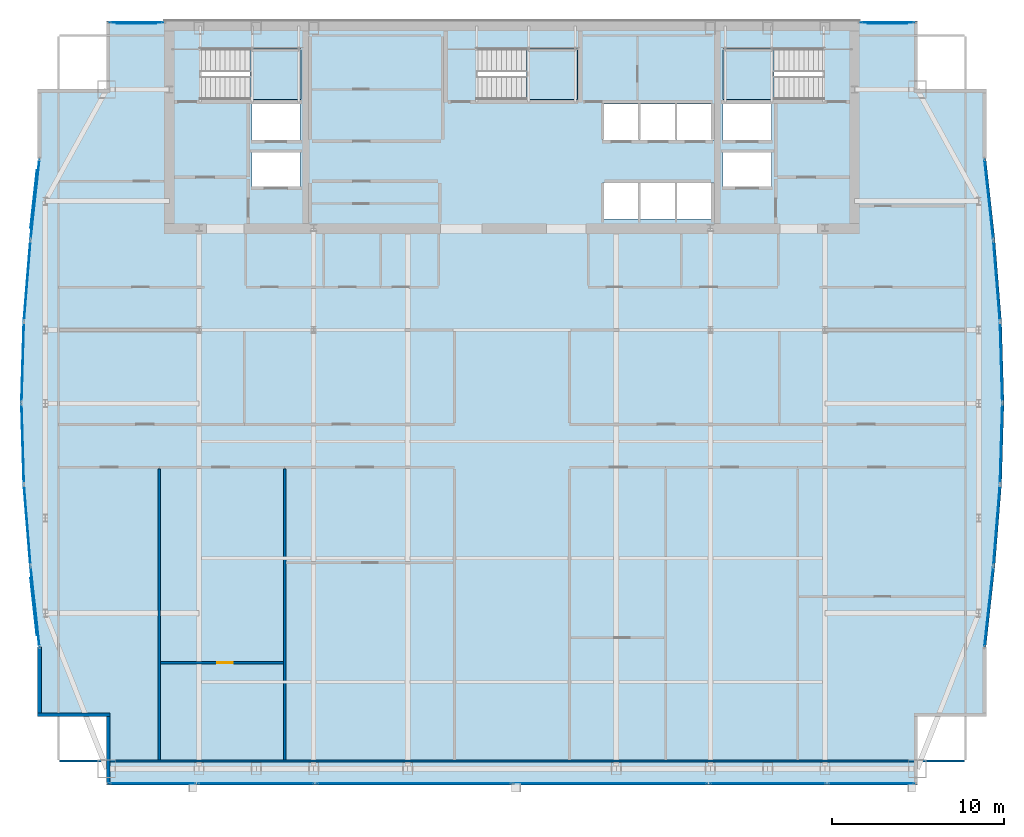
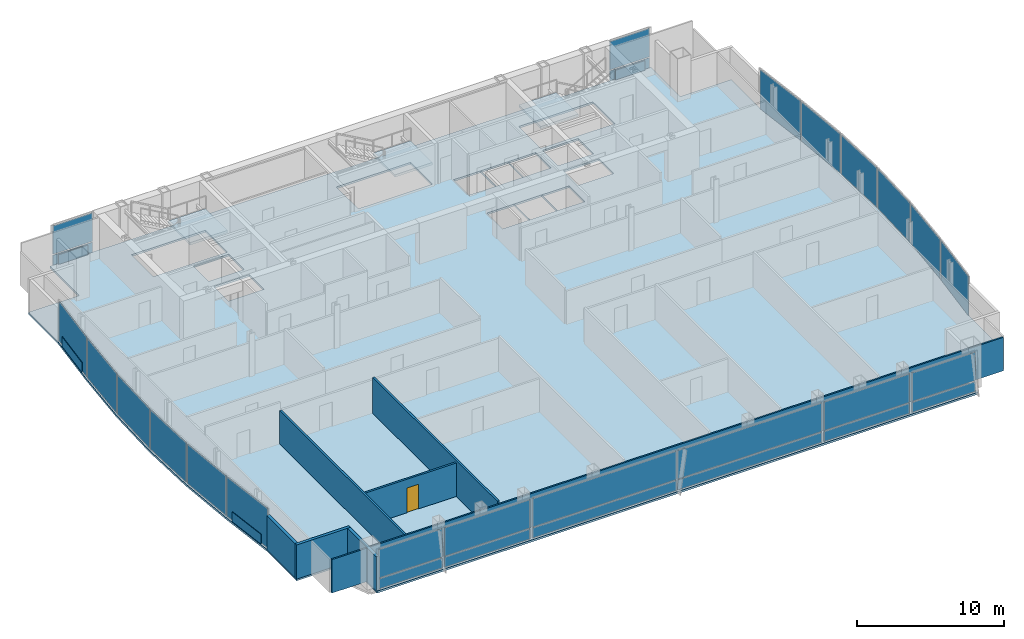
# One storey, part 23 of 29: 32 plates, 7 walls, 4 slabs, 1 door, 1 opening, 22 elements without a shape of their own.
"""IFC4 building model written with IfcOpenShell, lengths in metres."""

from ifc_helpers import new_model, si_unit, direction, frame, frame_2d, origin, origin_2d, place, context, subcontext, project, spatial, polyline, rectangle, outline, extrude, material, layer, layer_set, type_object, element, fill, aggregate, save


model = new_model("IFC4")

# Units and contexts
model_context = context("Model", 3, precision=1e-05, world=origin(), true_north=direction((0.0, 1.0)))
body_context = subcontext(model_context, "Body", "Model", "MODEL_VIEW")
ifc_project = project(units=[si_unit("LENGTHUNIT", "METRE"), si_unit("AREAUNIT", "SQUARE_METRE"), si_unit("VOLUMEUNIT", "CUBIC_METRE"), si_unit("PLANEANGLEUNIT", "RADIAN"), si_unit("MASSUNIT", "GRAM", prefix="KILO")], contexts=[model_context])

# Site, building, storey
site_placement = place(None, origin())
site = spatial("IfcSite", under=ifc_project, at=site_placement, CompositionType="ELEMENT")
building_placement = place(site_placement, origin())
building = spatial("IfcBuilding", under=site, at=building_placement, Name="Khoronbel Lancet Exchange", CompositionType="ELEMENT")
storey_placement = place(building_placement, frame((0.0, 0.0, 242.60009765625)))
storey = spatial("IfcBuildingStorey", under=building, at=storey_placement, Name="L62", CompositionType="ELEMENT", Elevation=242.60009765625)

# Curtain wall, plate
ifc_material_1 = material(Name="Low-E Solar Control Insulating Glass", Category="glass")
curtain_wall_type_1 = type_object("IfcCurtainWallType", Name="CW-4", PredefinedType="NOTDEFINED", material=ifc_material_1)
curtain_wall_1_placement = place(storey_placement, origin())
curtain_wall_1 = element("IfcCurtainWall", 1, at=curtain_wall_1_placement, inside=storey, type_object=curtain_wall_type_1, Name="Unitised curtain wall CW-L62-E04", PredefinedType="NOTDEFINED")
ifc_material_2 = material(Name="Bronze-Anodised Aluminium 6063-T6", Category="aluminium")
ifc_layer_1 = layer(ifc_material_2, 0.050048828125, Name="Bronze-Anodised Aluminium 6063-T6")
ifc_layer_set_1 = layer_set([ifc_layer_1], Name="Bronze-Anodised Aluminium 6063-T6")
plate_type_1 = type_object("IfcPlateType", Name="PLT-CSP1", PredefinedType="SHEET", material=ifc_layer_set_1)
plate_1_placement = place(storey_placement, frame((8.61767578125, 19.5751953125, 0.0498046875), z_axis=(0.0, 0.0, 1.0), x_axis=(-0.109857775256, 0.993947317123, 0.0)))
plate_1 = element("IfcPlate", 2, at=plate_1_placement, type_object=plate_type_1, Name="Insulated bronze spandrel cassette CW-L62-E04", PredefinedType="SHEET", context=body_context, shape_type="SweptSolid", body=[
    extrude(rectangle(XDim=3.347900390625, YDim=0.050048828125, at=origin_2d()), origin(), (0.0, 0.0, 1.0), 0.800048828125),
])

curtain_wall_2_placement = place(storey_placement, origin())
curtain_wall_2 = element("IfcCurtainWall", 3, at=curtain_wall_2_placement, inside=storey, type_object=curtain_wall_type_1, Name="Unitised curtain wall CW-L62-E05", PredefinedType="NOTDEFINED")
plate_2_placement = place(storey_placement, frame((8.22265625, 24.331787109375, 0.0849609375), z_axis=(0.0, 0.0, 1.0), x_axis=(-0.080639943095, 0.996743296731, 0.0)))
plate_2 = element("IfcPlate", 4, at=plate_2_placement, type_object=plate_type_1, Name="CW4 panel 1.1", PredefinedType="CURTAIN_PANEL", context=body_context, shape_type="SweptSolid", body=[
    extrude(rectangle(XDim=4.61181640625, YDim=0.0380859375, at=origin_2d()), origin(), (0.0, 0.0, 1.0), 3.27001953125),
])
aggregate(curtain_wall_2, [plate_2])

curtain_wall_3_placement = place(storey_placement, origin())
curtain_wall_3 = element("IfcCurtainWall", 5, at=curtain_wall_3_placement, inside=storey, type_object=curtain_wall_type_1, Name="Unitised curtain wall CW-L62-E06", PredefinedType="NOTDEFINED")
plate_3_placement = place(storey_placement, frame((7.960205078125, 29.077392578125, 0.0849609375), z_axis=(0.0, 0.0, 1.0), x_axis=(-0.029618191076, 0.999561285143, 0.0)))
plate_3 = element("IfcPlate", 6, at=plate_3_placement, type_object=plate_type_1, Name="CW4 panel 1.1", PredefinedType="CURTAIN_PANEL", context=body_context, shape_type="SweptSolid", body=[
    extrude(rectangle(XDim=4.59716796875, YDim=0.0380859375, at=origin_2d()), origin(), (0.0, 0.0, 1.0), 3.27001953125),
])
aggregate(curtain_wall_3, [plate_3])

curtain_wall_4_placement = place(storey_placement, origin())
curtain_wall_4 = element("IfcCurtainWall", 7, at=curtain_wall_4_placement, inside=storey, type_object=curtain_wall_type_1, Name="Unitised curtain wall CW-L62-E07", PredefinedType="NOTDEFINED")
plate_4_placement = place(storey_placement, frame((7.960205078125, 33.822509765625, 0.0849609375), z_axis=(0.0, 0.0, 1.0), x_axis=(0.029618191076, 0.999561285143, 0.0)))
plate_4 = element("IfcPlate", 8, at=plate_4_placement, type_object=plate_type_1, Name="CW4 panel 1.1", PredefinedType="CURTAIN_PANEL", context=body_context, shape_type="SweptSolid", body=[
    extrude(rectangle(XDim=4.59716796875, YDim=0.0380859375, at=origin_2d()), origin(), (0.0, 0.0, 1.0), 3.27001953125),
])
aggregate(curtain_wall_4, [plate_4])

curtain_wall_5_placement = place(storey_placement, origin())
curtain_wall_5 = element("IfcCurtainWall", 9, at=curtain_wall_5_placement, inside=storey, type_object=curtain_wall_type_1, Name="Unitised curtain wall CW-L62-E08", PredefinedType="NOTDEFINED")
plate_5_placement = place(storey_placement, frame((8.22265625, 38.568115234375, 0.0849609375), z_axis=(0.0, 0.0, 1.0), x_axis=(0.080639943095, 0.996743296731, 0.0)))
plate_5 = element("IfcPlate", 10, at=plate_5_placement, type_object=plate_type_1, Name="CW4 panel 1.1", PredefinedType="CURTAIN_PANEL", context=body_context, shape_type="SweptSolid", body=[
    extrude(rectangle(XDim=4.61181640625, YDim=0.0380859375, at=origin_2d()), origin(), (0.0, 0.0, 1.0), 3.27001953125),
])
aggregate(curtain_wall_5, [plate_5])

curtain_wall_6_placement = place(storey_placement, origin())
curtain_wall_6 = element("IfcCurtainWall", 11, at=curtain_wall_6_placement, inside=storey, type_object=curtain_wall_type_1, Name="Unitised curtain wall CW-L62-E09", PredefinedType="NOTDEFINED")
plate_6_placement = place(storey_placement, frame((8.61767578125, 43.32470703125, 0.0498046875), z_axis=(0.0, 0.0, 1.0), x_axis=(0.109857775256, 0.993947317123, 0.0)))
plate_6 = element("IfcPlate", 12, at=plate_6_placement, type_object=plate_type_1, Name="Insulated bronze spandrel cassette CW-L62-E09", PredefinedType="SHEET", context=body_context, shape_type="SweptSolid", body=[
    extrude(rectangle(XDim=3.347900390625, YDim=0.050048828125, at=origin_2d()), origin(), (0.0, 0.0, 1.0), 0.800048828125),
])

curtain_wall_type_2 = type_object("IfcCurtainWallType", Name="CW-3", PredefinedType="NOTDEFINED", material=ifc_material_1)
curtain_wall_7_placement = place(storey_placement, origin())
curtain_wall_7 = element("IfcCurtainWall", 13, at=curtain_wall_7_placement, inside=storey, type_object=curtain_wall_type_2, Name="Unitised curtain wall CW-L62-NWFLK", PredefinedType="NOTDEFINED")
plate_7_placement = place(storey_placement, frame((14.580078125, 53.550048828125, 0.0498046875), z_axis=(0.0, 0.0, 1.0), x_axis=(-1.0, 0.0, 0.0)))
plate_7 = element("IfcPlate", 14, at=plate_7_placement, type_object=plate_type_1, Name="Insulated bronze spandrel cassette CW-L62-NWFLK", PredefinedType="SHEET", context=body_context, shape_type="SweptSolid", body=[
    extrude(rectangle(XDim=2.2958984375, YDim=0.050048828125, at=origin_2d()), origin(), (0.0, 0.0, 1.0), 0.800048828125),
])

curtain_wall_8_placement = place(storey_placement, origin())
curtain_wall_8 = element("IfcCurtainWall", 15, at=curtain_wall_8_placement, inside=storey, type_object=curtain_wall_type_2, Name="Unitised curtain wall CW-L62-NEFLK", PredefinedType="NOTDEFINED")
plate_8_placement = place(storey_placement, frame((58.320068359375, 53.550048828125, 0.0498046875), z_axis=(0.0, 0.0, 1.0), x_axis=(-1.0, 0.0, 0.0)))
plate_8 = element("IfcPlate", 16, at=plate_8_placement, type_object=plate_type_1, Name="Insulated bronze spandrel cassette CW-L62-NEFLK", PredefinedType="SHEET", context=body_context, shape_type="SweptSolid", body=[
    extrude(rectangle(XDim=2.2958984375, YDim=0.050048828125, at=origin_2d()), origin(), (0.0, 0.0, 1.0), 0.800048828125),
])

curtain_wall_9_placement = place(storey_placement, origin())
curtain_wall_9 = element("IfcCurtainWall", 17, at=curtain_wall_9_placement, inside=storey, type_object=curtain_wall_type_1, Name="Unitised curtain wall CW-L62-E18", PredefinedType="NOTDEFINED")
plate_9_placement = place(storey_placement, frame((64.677490234375, 38.568115234375, 0.0849609375), z_axis=(0.0, 0.0, 1.0), x_axis=(0.080639943095, -0.996743296731, 0.0)))
plate_9 = element("IfcPlate", 18, at=plate_9_placement, type_object=plate_type_1, Name="CW4 panel 1.1", PredefinedType="CURTAIN_PANEL", context=body_context, shape_type="SweptSolid", body=[
    extrude(rectangle(XDim=4.61181640625, YDim=0.0380859375, at=origin_2d()), origin(), (0.0, 0.0, 1.0), 3.27001953125),
])
aggregate(curtain_wall_9, [plate_9])

curtain_wall_10_placement = place(storey_placement, origin())
curtain_wall_10 = element("IfcCurtainWall", 19, at=curtain_wall_10_placement, inside=storey, type_object=curtain_wall_type_1, Name="Unitised curtain wall CW-L62-E19", PredefinedType="NOTDEFINED")
plate_10_placement = place(storey_placement, frame((64.939697265625, 33.822509765625, 0.0849609375), z_axis=(0.0, 0.0, 1.0), x_axis=(0.029618191076, -0.999561285143, 0.0)))
plate_10 = element("IfcPlate", 20, at=plate_10_placement, type_object=plate_type_1, Name="CW4 panel 1.1", PredefinedType="CURTAIN_PANEL", context=body_context, shape_type="SweptSolid", body=[
    extrude(rectangle(XDim=4.59716796875, YDim=0.0380859375, at=origin_2d()), origin(), (0.0, 0.0, 1.0), 3.27001953125),
])
aggregate(curtain_wall_10, [plate_10])

curtain_wall_11_placement = place(storey_placement, origin())
curtain_wall_11 = element("IfcCurtainWall", 21, at=curtain_wall_11_placement, inside=storey, type_object=curtain_wall_type_1, Name="Unitised curtain wall CW-L62-E20", PredefinedType="NOTDEFINED")
plate_11_placement = place(storey_placement, frame((64.939697265625, 29.077392578125, 0.0849609375), z_axis=(0.0, 0.0, 1.0), x_axis=(-0.029618191076, -0.999561285143, 0.0)))
plate_11 = element("IfcPlate", 22, at=plate_11_placement, type_object=plate_type_1, Name="CW4 panel 1.1", PredefinedType="CURTAIN_PANEL", context=body_context, shape_type="SweptSolid", body=[
    extrude(rectangle(XDim=4.59716796875, YDim=0.0380859375, at=origin_2d()), origin(), (0.0, 0.0, 1.0), 3.27001953125),
])
aggregate(curtain_wall_11, [plate_11])

curtain_wall_12_placement = place(storey_placement, origin())
curtain_wall_12 = element("IfcCurtainWall", 23, at=curtain_wall_12_placement, inside=storey, type_object=curtain_wall_type_1, Name="Unitised curtain wall CW-L62-E21", PredefinedType="NOTDEFINED")
plate_12_placement = place(storey_placement, frame((64.677490234375, 24.331787109375, 0.0849609375), z_axis=(0.0, 0.0, 1.0), x_axis=(-0.080639943095, -0.996743296731, 0.0)))
plate_12 = element("IfcPlate", 24, at=plate_12_placement, type_object=plate_type_1, Name="CW4 panel 1.1", PredefinedType="CURTAIN_PANEL", context=body_context, shape_type="SweptSolid", body=[
    extrude(rectangle(XDim=4.61181640625, YDim=0.0380859375, at=origin_2d()), origin(), (0.0, 0.0, 1.0), 3.27001953125),
])
aggregate(curtain_wall_12, [plate_12])

# Curtain wall, plates
curtain_wall_13_placement = place(storey_placement, origin())
curtain_wall_13 = element("IfcCurtainWall", 25, at=curtain_wall_13_placement, inside=storey, type_object=curtain_wall_type_2, Name="Unitised curtain wall CW-L62-SWB", PredefinedType="NOTDEFINED")
plate_13_placement = place(storey_placement, frame((21.550048828125, 9.2900390625, 0.0849609375), z_axis=(0.0, 0.0, 1.0), x_axis=(1.0, 0.0, 0.0)))
plate_13 = element("IfcPlate", 26, at=plate_13_placement, type_object=plate_type_1, Name="CW3 panel 1.1", PredefinedType="CURTAIN_PANEL", context=body_context, shape_type="SweptSolid", body=[
    extrude(rectangle(XDim=6.72998046875, YDim=0.0380859375, at=origin_2d()), origin(), (0.0, 0.0, 1.0), 0.822509765625),
])
plate_14_placement = place(storey_placement, frame((21.550048828125, 9.2900390625, 0.9921875), z_axis=(0.0, 0.0, 1.0), x_axis=(1.0, 0.0, 0.0)))
plate_14 = element("IfcPlate", 27, at=plate_14_placement, type_object=plate_type_1, Name="CW3 panel 1.2", PredefinedType="CURTAIN_PANEL", context=body_context, shape_type="SweptSolid", body=[
    extrude(rectangle(XDim=6.72998046875, YDim=0.0380859375, at=origin_2d()), origin(), (0.0, 0.0, 1.0), 2.362548828125),
])
aggregate(curtain_wall_13, [plate_13, plate_14])

curtain_wall_14_placement = place(storey_placement, origin())
curtain_wall_14 = element("IfcCurtainWall", 28, at=curtain_wall_14_placement, inside=storey, type_object=curtain_wall_type_2, Name="Unitised curtain wall CW-L62-SEB", PredefinedType="NOTDEFINED")
plate_15_placement = place(storey_placement, frame((51.35009765625, 9.2900390625, 0.0849609375), z_axis=(0.0, 0.0, 1.0), x_axis=(1.0, 0.0, 0.0)))
plate_15 = element("IfcPlate", 29, at=plate_15_placement, type_object=plate_type_1, Name="CW3 panel 1.1", PredefinedType="CURTAIN_PANEL", context=body_context, shape_type="SweptSolid", body=[
    extrude(rectangle(XDim=6.72998046875, YDim=0.0380859375, at=origin_2d()), origin(), (0.0, 0.0, 1.0), 0.822509765625),
])
plate_16_placement = place(storey_placement, frame((51.35009765625, 9.2900390625, 0.9921875), z_axis=(0.0, 0.0, 1.0), x_axis=(1.0, 0.0, 0.0)))
plate_16 = element("IfcPlate", 30, at=plate_16_placement, type_object=plate_type_1, Name="CW3 panel 1.2", PredefinedType="CURTAIN_PANEL", context=body_context, shape_type="SweptSolid", body=[
    extrude(rectangle(XDim=6.72998046875, YDim=0.0380859375, at=origin_2d()), origin(), (0.0, 0.0, 1.0), 2.362548828125),
])
aggregate(curtain_wall_14, [plate_15, plate_16])

# Plate
ifc_layer_2 = layer(ifc_material_1, 0.035888671875, Name="Low-E Solar Control Insulating Glass")
ifc_layer_set_2 = layer_set([ifc_layer_2], Name="Low-E Solar Control Insulating Glass")
plate_type_2 = type_object("IfcPlateType", Name="PLT-CWP1", PredefinedType="CURTAIN_PANEL", material=ifc_layer_set_2)
plate_17_placement = place(storey_placement, frame((14.580078125, 53.610107421875, 0.0849609375), z_axis=(0.0, 0.0, 1.0), x_axis=(-1.0, 0.0, 0.0)))
plate_17 = element("IfcPlate", 31, at=plate_17_placement, type_object=plate_type_2, Name="CW3 panel 1.1", PredefinedType="CURTAIN_PANEL", context=body_context, shape_type="SweptSolid", body=[
    extrude(rectangle(XDim=3.110107421875, YDim=0.0380859375, at=origin_2d()), origin(), (0.0, 0.0, 1.0), 0.822509765625),
])

plate_18_placement = place(storey_placement, frame((14.580078125, 53.610107421875, 0.9921875), z_axis=(0.0, 0.0, 1.0), x_axis=(-1.0, 0.0, 0.0)))
plate_18 = element("IfcPlate", 32, at=plate_18_placement, type_object=plate_type_2, Name="CW3 panel 1.2", PredefinedType="CURTAIN_PANEL", context=body_context, shape_type="SweptSolid", body=[
    extrude(rectangle(XDim=3.110107421875, YDim=0.0380859375, at=origin_2d()), origin(), (0.0, 0.0, 1.0), 2.362548828125),
])

aggregate(curtain_wall_7, [plate_17, plate_18, plate_7])

plate_19_placement = place(storey_placement, frame((58.320068359375, 53.610107421875, 0.0849609375), z_axis=(0.0, 0.0, 1.0), x_axis=(-1.0, 0.0, 0.0)))
plate_19 = element("IfcPlate", 33, at=plate_19_placement, type_object=plate_type_2, Name="CW3 panel 1.1", PredefinedType="CURTAIN_PANEL", context=body_context, shape_type="SweptSolid", body=[
    extrude(rectangle(XDim=3.110107421875, YDim=0.0380859375, at=origin_2d()), origin(), (0.0, 0.0, 1.0), 0.822509765625),
])

plate_20_placement = place(storey_placement, frame((58.320068359375, 53.610107421875, 0.9921875), z_axis=(0.0, 0.0, 1.0), x_axis=(-1.0, 0.0, 0.0)))
plate_20 = element("IfcPlate", 34, at=plate_20_placement, type_object=plate_type_2, Name="CW3 panel 1.2", PredefinedType="CURTAIN_PANEL", context=body_context, shape_type="SweptSolid", body=[
    extrude(rectangle(XDim=3.110107421875, YDim=0.0380859375, at=origin_2d()), origin(), (0.0, 0.0, 1.0), 2.362548828125),
])

aggregate(curtain_wall_8, [plate_19, plate_20, plate_8])

# Curtain wall, plates
curtain_wall_15_placement = place(storey_placement, origin())
curtain_wall_15 = element("IfcCurtainWall", 35, at=curtain_wall_15_placement, inside=storey, type_object=curtain_wall_type_2, Name="Unitised curtain wall CW-L62-SWV", PredefinedType="NOTDEFINED")
plate_21_placement = place(storey_placement, frame((15.52001953125, 9.2900390625, 0.0849609375), z_axis=(0.0, 0.0, 1.0), x_axis=(1.0, 0.0, 0.0)))
plate_21 = element("IfcPlate", 36, at=plate_21_placement, type_object=plate_type_2, Name="CW3 panel 1.1", PredefinedType="CURTAIN_PANEL", context=body_context, shape_type="SweptSolid", body=[
    extrude(rectangle(XDim=4.989990234375, YDim=0.0380859375, at=origin_2d()), origin(), (0.0, 0.0, 1.0), 0.822509765625),
])
plate_22_placement = place(storey_placement, frame((15.52001953125, 9.2900390625, 0.9921875), z_axis=(0.0, 0.0, 1.0), x_axis=(1.0, 0.0, 0.0)))
plate_22 = element("IfcPlate", 37, at=plate_22_placement, type_object=plate_type_2, Name="CW3 panel 1.2", PredefinedType="CURTAIN_PANEL", context=body_context, shape_type="SweptSolid", body=[
    extrude(rectangle(XDim=4.989990234375, YDim=0.0380859375, at=origin_2d()), origin(), (0.0, 0.0, 1.0), 2.362548828125),
])
aggregate(curtain_wall_15, [plate_21, plate_22])

curtain_wall_16_placement = place(storey_placement, origin())
curtain_wall_16 = element("IfcCurtainWall", 38, at=curtain_wall_16_placement, inside=storey, type_object=curtain_wall_type_2, Name="Unitised curtain wall CW-L62-SCV", PredefinedType="NOTDEFINED")
plate_23_placement = place(storey_placement, frame((30.746337890625, 9.2900390625, 0.0849609375), z_axis=(0.0, 0.0, 1.0), x_axis=(1.0, 0.0, 0.0)))
plate_23 = element("IfcPlate", 39, at=plate_23_placement, type_object=plate_type_2, Name="CW3 panel 1.1", PredefinedType="CURTAIN_PANEL", context=body_context, shape_type="SweptSolid", body=[
    extrude(rectangle(XDim=11.322509765625, YDim=0.0380859375, at=origin_2d()), origin(), (0.0, 0.0, 1.0), 0.822509765625),
])
plate_24_placement = place(storey_placement, frame((30.746337890625, 9.2900390625, 0.9921875), z_axis=(0.0, 0.0, 1.0), x_axis=(1.0, 0.0, 0.0)))
plate_24 = element("IfcPlate", 40, at=plate_24_placement, type_object=plate_type_2, Name="CW3 panel 1.2", PredefinedType="CURTAIN_PANEL", context=body_context, shape_type="SweptSolid", body=[
    extrude(rectangle(XDim=11.322509765625, YDim=0.0380859375, at=origin_2d()), origin(), (0.0, 0.0, 1.0), 2.362548828125),
])
plate_25_placement = place(storey_placement, frame((42.15380859375, 9.2900390625, 0.0849609375), z_axis=(0.0, 0.0, 1.0), x_axis=(1.0, 0.0, 0.0)))
plate_25 = element("IfcPlate", 41, at=plate_25_placement, type_object=plate_type_2, Name="CW3 panel 2.1", PredefinedType="CURTAIN_PANEL", context=body_context, shape_type="SweptSolid", body=[
    extrude(rectangle(XDim=11.322509765625, YDim=0.0380859375, at=origin_2d()), origin(), (0.0, 0.0, 1.0), 0.822509765625),
])
plate_26_placement = place(storey_placement, frame((42.15380859375, 9.2900390625, 0.9921875), z_axis=(0.0, 0.0, 1.0), x_axis=(1.0, 0.0, 0.0)))
plate_26 = element("IfcPlate", 42, at=plate_26_placement, type_object=plate_type_2, Name="CW3 panel 2.2", PredefinedType="CURTAIN_PANEL", context=body_context, shape_type="SweptSolid", body=[
    extrude(rectangle(XDim=11.322509765625, YDim=0.0380859375, at=origin_2d()), origin(), (0.0, 0.0, 1.0), 2.362548828125),
])
aggregate(curtain_wall_16, [plate_23, plate_24, plate_25, plate_26])

curtain_wall_17_placement = place(storey_placement, origin())
curtain_wall_17 = element("IfcCurtainWall", 43, at=curtain_wall_17_placement, inside=storey, type_object=curtain_wall_type_2, Name="Unitised curtain wall CW-L62-SEV", PredefinedType="NOTDEFINED")
plate_27_placement = place(storey_placement, frame((57.3798828125, 9.2900390625, 0.0849609375), z_axis=(0.0, 0.0, 1.0), x_axis=(1.0, 0.0, 0.0)))
plate_27 = element("IfcPlate", 44, at=plate_27_placement, type_object=plate_type_2, Name="CW3 panel 1.1", PredefinedType="CURTAIN_PANEL", context=body_context, shape_type="SweptSolid", body=[
    extrude(rectangle(XDim=4.989990234375, YDim=0.0380859375, at=origin_2d()), origin(), (0.0, 0.0, 1.0), 0.822509765625),
])
plate_28_placement = place(storey_placement, frame((57.3798828125, 9.2900390625, 0.9921875), z_axis=(0.0, 0.0, 1.0), x_axis=(1.0, 0.0, 0.0)))
plate_28 = element("IfcPlate", 45, at=plate_28_placement, type_object=plate_type_2, Name="CW3 panel 1.2", PredefinedType="CURTAIN_PANEL", context=body_context, shape_type="SweptSolid", body=[
    extrude(rectangle(XDim=4.989990234375, YDim=0.0380859375, at=origin_2d()), origin(), (0.0, 0.0, 1.0), 2.362548828125),
])
aggregate(curtain_wall_17, [plate_27, plate_28])

# Plate
ifc_material_3 = material(Name="Ceramic-Fritted Laminated Insulating Glass", Category="glass")
ifc_layer_3 = layer(ifc_material_3, 0.0419921875, Name="Ceramic-Fritted Laminated Insulating Glass")
ifc_layer_set_3 = layer_set([ifc_layer_3], Name="Ceramic-Fritted Laminated Insulating Glass")
plate_type_3 = type_object("IfcPlateType", Name="PLT-CWP2", PredefinedType="CURTAIN_PANEL", material=ifc_layer_set_3)
plate_29_placement = place(storey_placement, frame((8.67724609375, 19.581787109375, 0.0849609375), z_axis=(0.0, 0.0, 1.0), x_axis=(-0.109857775256, 0.993947317123, 0.0)))
plate_29 = element("IfcPlate", 46, at=plate_29_placement, type_object=plate_type_3, Name="CW4 panel 1.1", PredefinedType="CURTAIN_PANEL", context=body_context, shape_type="SweptSolid", body=[
    extrude(rectangle(XDim=4.632568359375, YDim=0.0380859375, at=origin_2d()), origin(), (0.0, 0.0, 1.0), 3.27001953125),
])

aggregate(curtain_wall_1, [plate_29, plate_1])

plate_30_placement = place(storey_placement, frame((8.67724609375, 43.318115234375, 0.0849609375), z_axis=(0.0, 0.0, 1.0), x_axis=(0.109857775256, 0.993947317123, 0.0)))
plate_30 = element("IfcPlate", 47, at=plate_30_placement, type_object=plate_type_3, Name="CW4 panel 1.1", PredefinedType="CURTAIN_PANEL", context=body_context, shape_type="SweptSolid", body=[
    extrude(rectangle(XDim=4.632568359375, YDim=0.0380859375, at=origin_2d()), origin(), (0.0, 0.0, 1.0), 3.27001953125),
])

aggregate(curtain_wall_6, [plate_30, plate_6])

# Curtain wall, plate
curtain_wall_18_placement = place(storey_placement, origin())
curtain_wall_18 = element("IfcCurtainWall", 48, at=curtain_wall_18_placement, inside=storey, type_object=curtain_wall_type_1, Name="Unitised curtain wall CW-L62-E17", PredefinedType="NOTDEFINED")
plate_31_placement = place(storey_placement, frame((64.22265625, 43.318115234375, 0.0849609375), z_axis=(0.0, 0.0, 1.0), x_axis=(0.109857775256, -0.993947317123, 0.0)))
plate_31 = element("IfcPlate", 49, at=plate_31_placement, type_object=plate_type_3, Name="CW4 panel 1.1", PredefinedType="CURTAIN_PANEL", context=body_context, shape_type="SweptSolid", body=[
    extrude(rectangle(XDim=4.632568359375, YDim=0.0380859375, at=origin_2d()), origin(), (0.0, 0.0, 1.0), 3.27001953125),
])
aggregate(curtain_wall_18, [plate_31])

curtain_wall_19_placement = place(storey_placement, origin())
curtain_wall_19 = element("IfcCurtainWall", 50, at=curtain_wall_19_placement, inside=storey, type_object=curtain_wall_type_1, Name="Unitised curtain wall CW-L62-E22", PredefinedType="NOTDEFINED")
plate_32_placement = place(storey_placement, frame((64.22265625, 19.581787109375, 0.0849609375), z_axis=(0.0, 0.0, 1.0), x_axis=(-0.109857775256, -0.993947317123, 0.0)))
plate_32 = element("IfcPlate", 51, at=plate_32_placement, type_object=plate_type_3, Name="CW4 panel 1.1", PredefinedType="CURTAIN_PANEL", context=body_context, shape_type="SweptSolid", body=[
    extrude(rectangle(XDim=4.632568359375, YDim=0.0380859375, at=origin_2d()), origin(), (0.0, 0.0, 1.0), 3.27001953125),
])
aggregate(curtain_wall_19, [plate_32])

# Slab
ifc_material_4 = material(Name="Concrete C40/50", Category="concrete")
ifc_layer_4 = layer(ifc_material_4, 0.159912109375, Name="Concrete C40/50")
ifc_layer_set_4 = layer_set([ifc_layer_4], Name="Concrete C40/50")
slab_type_1 = type_object("IfcSlabType", Name="SL-FL160", PredefinedType="FLOOR", material=ifc_layer_set_4)
slab_1_placement = place(storey_placement, frame((0.0, 0.0, -0.16015625)))
element("IfcSlab", 52, at=slab_1_placement, inside=storey, type_object=slab_type_1, Name="Level L62 composite structural floor slab", PredefinedType="FLOOR", context=body_context, shape_type="SweptSolid", body=[
    extrude(outline(polyline([(12.85009765625, 9.199951171875), (60.050048828125, 9.199951171875), (60.050048828125, 13.199951171875), (64.050048828125, 13.199951171875), (64.050048828125, 17.199951171875), (64.574951171875, 21.949951171875), (64.959228515625, 26.699951171875), (65.10009765625, 31.449951171875), (64.959228515625, 36.199951171875), (64.574951171875, 40.949951171875), (64.050048828125, 45.699951171875), (64.050048828125, 49.699951171875), (60.050048828125, 49.699951171875), (60.050048828125, 53.699951171875), (12.85009765625, 53.699951171875), (12.85009765625, 49.699951171875), (8.85009765625, 49.699951171875), (8.85009765625, 45.699951171875), (8.324951171875, 40.949951171875), (7.940673828125, 36.199951171875), (7.800048828125, 31.449951171875), (7.940673828125, 26.699951171875), (8.324951171875, 21.949951171875), (8.85009765625, 17.199951171875), (8.85009765625, 13.199951171875), (12.85009765625, 13.199951171875), (12.85009765625, 9.199951171875)]), holes=[polyline([(18.324951171875, 49.1201171875), (24.14990234375, 49.1201171875), (24.14990234375, 52.10009765625), (18.324951171875, 52.10009765625), (18.324951171875, 49.1201171875)]), polyline([(48.75, 49.1201171875), (54.574951171875, 49.1201171875), (54.574951171875, 52.10009765625), (48.75, 52.10009765625), (48.75, 49.1201171875)]), polyline([(34.425048828125, 49.1201171875), (40.25, 49.1201171875), (40.25, 52.10009765625), (34.425048828125, 52.10009765625), (34.425048828125, 49.1201171875)]), polyline([(41.739990234375, 46.75), (43.8798828125, 46.75), (43.8798828125, 48.85009765625), (41.739990234375, 48.85009765625), (41.739990234375, 46.75)]), polyline([(43.89990234375, 46.75), (46.0400390625, 46.75), (46.0400390625, 48.85009765625), (43.89990234375, 48.85009765625), (43.89990234375, 46.75)]), polyline([(46.06005859375, 46.75), (48.199951171875, 46.75), (48.199951171875, 48.85009765625), (46.06005859375, 48.85009765625), (46.06005859375, 46.75)]), polyline([(41.739990234375, 42.14990234375), (43.8798828125, 42.14990234375), (43.8798828125, 44.300048828125), (41.739990234375, 44.300048828125), (41.739990234375, 42.14990234375)]), polyline([(43.89990234375, 42.14990234375), (46.0400390625, 42.14990234375), (46.0400390625, 44.300048828125), (43.89990234375, 44.300048828125), (43.89990234375, 42.14990234375)]), polyline([(46.06005859375, 42.14990234375), (48.199951171875, 42.14990234375), (48.199951171875, 44.300048828125), (46.06005859375, 44.300048828125), (46.06005859375, 42.14990234375)]), polyline([(21.300048828125, 46.75), (24.10009765625, 46.75), (24.10009765625, 48.85009765625), (21.300048828125, 48.85009765625), (21.300048828125, 46.75)]), polyline([(48.75, 46.75), (51.550048828125, 46.75), (51.550048828125, 48.85009765625), (48.75, 48.85009765625), (48.75, 46.75)]), polyline([(21.300048828125, 44.050048828125), (24.10009765625, 44.050048828125), (24.10009765625, 46.050048828125), (21.300048828125, 46.050048828125), (21.300048828125, 44.050048828125)]), polyline([(48.75, 44.050048828125), (51.550048828125, 44.050048828125), (51.550048828125, 46.050048828125), (48.75, 46.050048828125), (48.75, 44.050048828125)])]), origin(), (0.0, 0.0, 1.0), 0.16015625),
])

# Stair, slab
stair_type = type_object("IfcStairType", Name="STR-CORE150", PredefinedType="HALF_TURN_STAIR", material=ifc_material_4)
stair_1_placement = place(storey_placement, origin())
stair_1 = element("IfcStair", 53, at=stair_1_placement, inside=storey, type_object=stair_type, Name="L62 Protected Exit Stair ST1", PredefinedType="HALF_TURN_STAIR")
ifc_layer_5 = layer(ifc_material_4, 0.199951171875, Name="Concrete C40/50")
ifc_layer_set_5 = layer_set([ifc_layer_5], Name="Concrete C40/50")
slab_type_2 = type_object("IfcSlabType", Name="SL-LND180", PredefinedType="LANDING", material=ifc_layer_set_5)
slab_2_placement = place(storey_placement, frame((0.0, 0.0, 1.599853515625)))
slab_2 = element("IfcSlab", 54, at=slab_2_placement, type_object=slab_type_2, Name="ST1 landing 1", PredefinedType="LANDING", context=body_context, shape_type="SweptSolid", body=[
    extrude(outline(polyline([(21.199951171875, 49.1201171875), (24.14990234375, 49.1201171875), (24.14990234375, 52.10009765625), (21.199951171875, 52.10009765625), (21.199951171875, 49.1201171875)])), origin(), (0.0, 0.0, 1.0), 0.199951171875),
])
aggregate(stair_1, [slab_2])

stair_2_placement = place(storey_placement, origin())
stair_2 = element("IfcStair", 55, at=stair_2_placement, inside=storey, type_object=stair_type, Name="L62 Protected Exit Stair ST2", PredefinedType="HALF_TURN_STAIR")
slab_3_placement = place(storey_placement, frame((0.0, 0.0, 1.599853515625)))
slab_3 = element("IfcSlab", 56, at=slab_3_placement, type_object=slab_type_2, Name="ST2 landing 1", PredefinedType="LANDING", context=body_context, shape_type="SweptSolid", body=[
    extrude(outline(polyline([(51.699951171875, 52.10009765625), (48.75, 52.10009765625), (48.75, 49.1201171875), (51.699951171875, 49.1201171875), (51.699951171875, 52.10009765625)])), origin(), (0.0, 0.0, 1.0), 0.199951171875),
])
aggregate(stair_2, [slab_3])

stair_3_placement = place(storey_placement, origin())
stair_3 = element("IfcStair", 57, at=stair_3_placement, inside=storey, type_object=stair_type, Name="L62 Protected Exit Stair ST3", PredefinedType="HALF_TURN_STAIR")
slab_4_placement = place(storey_placement, frame((0.0, 0.0, 1.599853515625)))
slab_4 = element("IfcSlab", 58, at=slab_4_placement, type_object=slab_type_2, Name="ST3 landing 1", PredefinedType="LANDING", context=body_context, shape_type="SweptSolid", body=[
    extrude(outline(polyline([(37.300048828125, 49.1201171875), (40.25, 49.1201171875), (40.25, 52.10009765625), (37.300048828125, 52.10009765625), (37.300048828125, 49.1201171875)])), origin(), (0.0, 0.0, 1.0), 0.199951171875),
])
aggregate(stair_3, [slab_4])

# Walls
ifc_material_5 = material(Name="Precast concrete C40/50", Category="concrete")
ifc_layer_6 = layer(ifc_material_5, 0.25, Name="Precast concrete C40/50")
ifc_layer_set_6 = layer_set([ifc_layer_6], Name="Precast concrete C40/50")
wall_type_1 = type_object("IfcWallType", Name="WL-EXT250", PredefinedType="SOLIDWALL", material=ifc_layer_set_6)
wall_1_placement = place(storey_placement, frame((12.93994140625, 9.27001953125, 0.0), z_axis=(0.0, 0.0, 1.0), x_axis=(0.0, 1.0, 0.0)))
element("IfcWall", 59, at=wall_1_placement, inside=storey, type_object=wall_type_1, Name="Level L62 notched-corner limestone pier 01", PredefinedType="SOLIDWALL", context=body_context, shape_type="SweptSolid", body=[
    extrude(rectangle(XDim=3.909912109375, YDim=0.219970703125, at=frame_2d((1.955078125, 0.0))), origin(), (0.0, 0.0, 1.0), 2.829833984375),
])
wall_2_placement = place(storey_placement, frame((13.050048828125, 13.2900390625, 0.0), z_axis=(0.0, 0.0, 1.0), x_axis=(-1.0, 0.0, 0.0)))
element("IfcWall", 60, at=wall_2_placement, inside=storey, type_object=wall_type_1, Name="Level L62 notched-corner limestone pier 02", PredefinedType="SOLIDWALL", context=body_context, shape_type="SweptSolid", body=[
    extrude(rectangle(XDim=4.219970703125, YDim=0.219970703125, at=frame_2d((2.10986328125, 0.0))), origin(), (0.0, 0.0, 1.0), 2.829833984375),
])
wall_3_placement = place(storey_placement, frame((8.93994140625, 13.39990234375, 0.0), z_axis=(0.0, 0.0, 1.0), x_axis=(0.0, 1.0, 0.0)))
element("IfcWall", 61, at=wall_3_placement, inside=storey, type_object=wall_type_1, Name="Level L62 notched-corner limestone pier 03", PredefinedType="SOLIDWALL", context=body_context, shape_type="SweptSolid", body=[
    extrude(rectangle(XDim=3.8251953125, YDim=0.219970703125, at=frame_2d((1.91259765625, 0.0))), origin(), (0.0, 0.0, 1.0), 2.829833984375),
])

# Wall, opening, door
ifc_material_6 = material(Name="Acoustic Metal-Stud & Mineral-Wool Gypsum Partition 120 mm", Category="gypsum")
ifc_layer_7 = layer(ifc_material_6, 0.1201171875, Name="Acoustic Metal-Stud & Mineral-Wool Gypsum Partition 120 mm")
ifc_layer_set_7 = layer_set([ifc_layer_7], Name="Acoustic Metal-Stud & Mineral-Wool Gypsum Partition 120 mm")
wall_type_2 = type_object("IfcWallType", Name="WL-PRT120", PredefinedType="PARTITIONING", material=ifc_layer_set_7)
wall_4_placement = place(storey_placement, frame((15.99609375, 16.31689453125, 0.0), z_axis=(0.0, 0.0, 1.0), x_axis=(1.0, 0.0, 0.0)))
wall_4 = element("IfcWall", 62, at=wall_4_placement, inside=storey, type_object=wall_type_2, Name="Level L62 interior partition PW-Z3SW-H2", PredefinedType="PARTITIONING", context=body_context, shape_type="SweptSolid", body=[
    extrude(rectangle(XDim=7.140625, YDim=0.14990234375, at=frame_2d((3.5703125, 0.0))), origin(), (0.0, 0.0, 1.0), 2.77978515625),
])
opening_placement = place(wall_4_placement, frame((3.285400390625, 0.0, 0.0)))
opening = element("IfcOpeningElement", 63, at=opening_placement, cuts=wall_4, Name="Opening D5", PredefinedType="OPENING", context=body_context, shape_type="SweptSolid", body=[
    extrude(rectangle(XDim=0.89990234375, YDim=2.050048828125, at=frame_2d((0.449951171875, 1.02490234375))), frame((0.0, 0.0849609375, 0.0), z_axis=(0.0, -1.0, 0.0), x_axis=(1.0, 0.0, 0.0)), (0.0, 0.0, 1.0), 0.169921875),
])
ifc_material_7 = material(Name="Acoustic Timber Pantry & Support Door", Category="wood")
door_type = type_object("IfcDoorType", Name="DR-D5", OperationType="NOTDEFINED", PredefinedType="DOOR", material=ifc_material_7)
door_placement = place(opening_placement, origin())
door = element("IfcDoor", 64, at=door_placement, inside=storey, type_object=door_type, Name="Z3SW inner door 2 L62-1", OperationType="SINGLE_SWING_RIGHT", OverallHeight=2.050048828125, OverallWidth=0.89990234375, PredefinedType="DOOR", context=body_context, shape_type="SweptSolid", body=[
    extrude(rectangle(XDim=0.89990234375, YDim=2.050048828125, at=frame_2d((0.449951171875, 1.02490234375))), frame((0.0, 0.02490234375, 0.0), z_axis=(0.0, -1.0, 0.0), x_axis=(1.0, 0.0, 0.0)), (0.0, 0.0, 1.0), 0.050048828125),
])
fill(opening, door)

# Walls
wall_5_placement = place(storey_placement, frame((10.094970703125, 10.60009765625, 0.0), z_axis=(0.0, 0.0, 1.0), x_axis=(1.0, 0.0, 0.0)))
element("IfcWall", 65, at=wall_5_placement, inside=storey, type_object=wall_type_2, Name="Level L62 interior partition PW-LIN-S", PredefinedType="PARTITIONING", context=body_context, shape_type="SweptSolid", body=[
    extrude(rectangle(XDim=52.7099609375, YDim=0.1201171875, at=frame_2d((26.35498046875, 0.0))), origin(), (0.0, 0.0, 1.0), 2.77978515625),
])
ifc_material_8 = material(Name="Fire-Rated Twin-Stud Acoustic Gypsum Partition 150 mm", Category="gypsum")
ifc_layer_8 = layer(ifc_material_8, 0.14990234375, Name="Fire-Rated Twin-Stud Acoustic Gypsum Partition 150 mm")
ifc_layer_set_8 = layer_set([ifc_layer_8], Name="Fire-Rated Twin-Stud Acoustic Gypsum Partition 150 mm")
wall_type_3 = type_object("IfcWallType", Name="WL-PRT150C", PredefinedType="PARTITIONING", material=ifc_layer_set_8)
wall_6_placement = place(storey_placement, frame((15.916015625, 10.6650390625, 0.0), z_axis=(0.0, 0.0, 1.0), x_axis=(0.0, 1.0, 0.0)))
element("IfcWall", 66, at=wall_6_placement, inside=storey, type_object=wall_type_3, Name="Level L62 interior partition PW-Z3SW-V1", PredefinedType="PARTITIONING", context=body_context, shape_type="SweptSolid", body=[
    extrude(rectangle(XDim=16.949951171875, YDim=0.14990234375, at=frame_2d((8.47509765625, 0.0))), origin(), (0.0, 0.0, 1.0), 2.77978515625),
])
wall_7_placement = place(storey_placement, frame((23.216796875, 10.6650390625, 0.0), z_axis=(0.0, 0.0, 1.0), x_axis=(0.0, 1.0, 0.0)))
element("IfcWall", 67, at=wall_7_placement, inside=storey, type_object=wall_type_3, Name="Level L62 interior partition PW-Z3SW-V2", PredefinedType="PARTITIONING", context=body_context, shape_type="SweptSolid", body=[
    extrude(rectangle(XDim=16.949951171875, YDim=0.14990234375, at=frame_2d((8.47509765625, 0.0))), origin(), (0.0, 0.0, 1.0), 2.97998046875),
])

save(model, "model.ifc")
